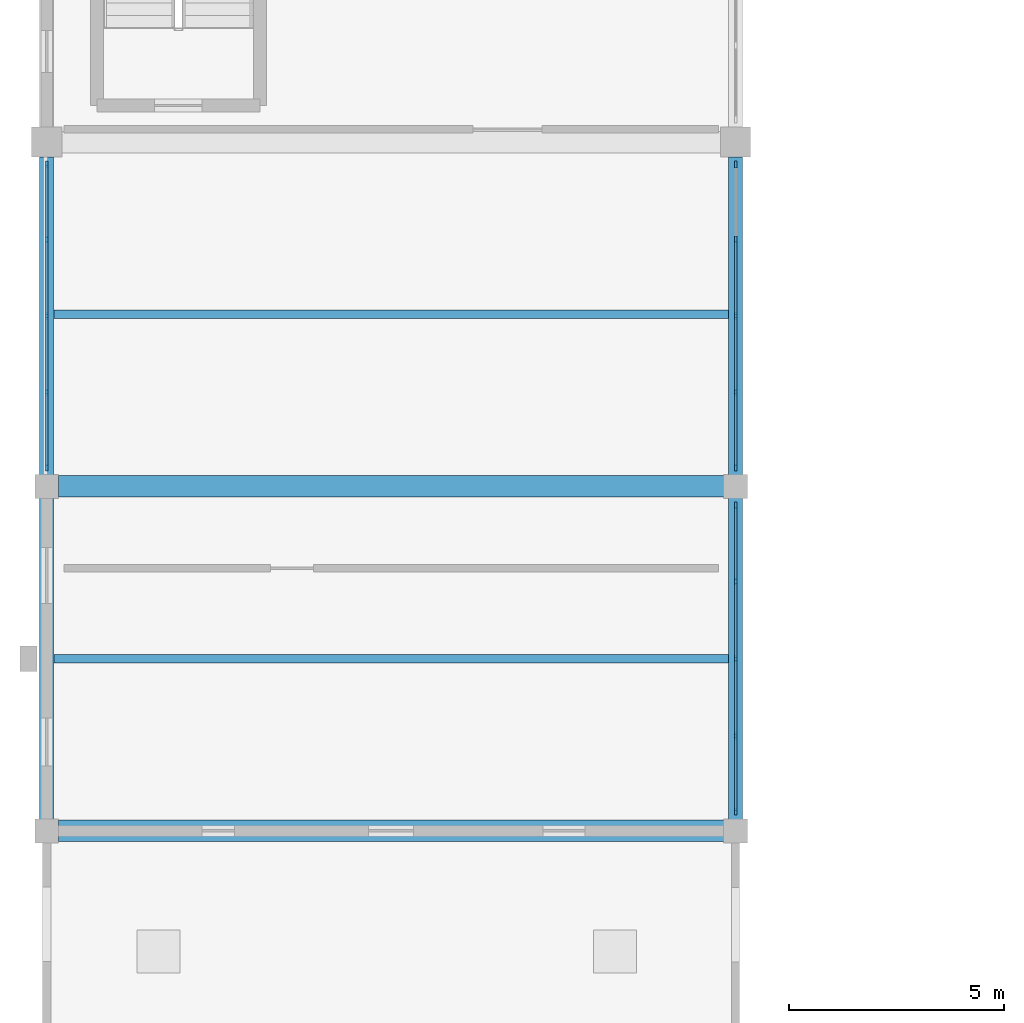
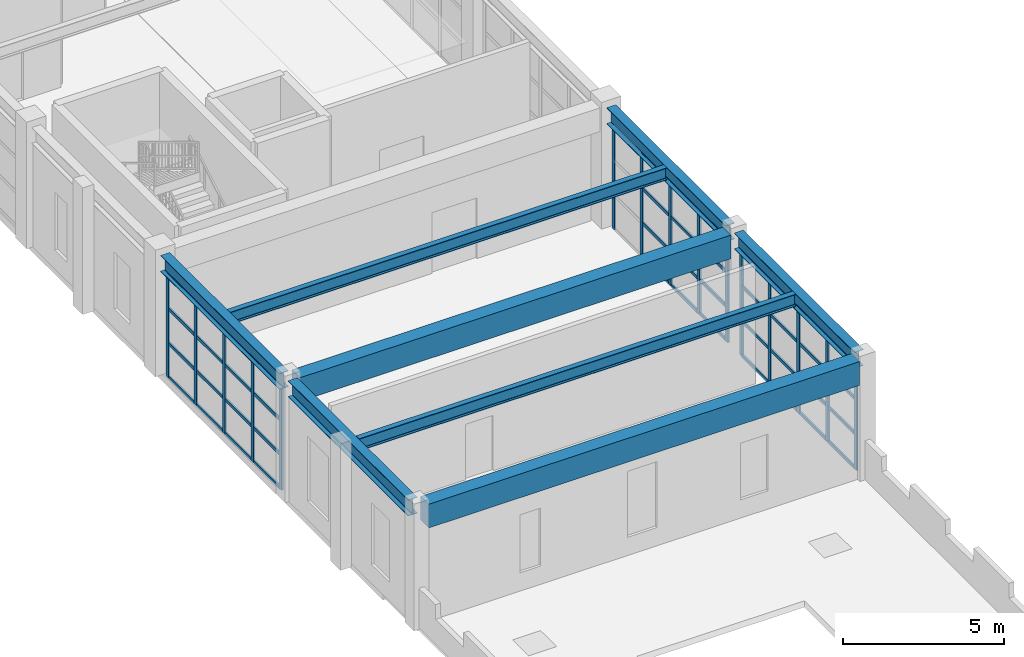
# One storey, part 3 of 59: 59 members, 8 beams, 3 elements without a shape of their own.
"""IFC4 building model written with IfcOpenShell, lengths in metres."""

from ifc_helpers import new_model, si_unit, direction, frame, origin, origin_2d, place, context, subcontext, project, spatial, rectangle, i_section, extrude, material, material_profile, profile_set, type_object, element, aggregate, save


model = new_model("IFC4")

# Units and contexts
model_context = context("Model", 3, precision=1e-05, world=origin(), true_north=direction((0.0, 1.0)))
body_context = subcontext(model_context, "Body", "Model", "MODEL_VIEW")
ifc_project = project(units=[si_unit("LENGTHUNIT", "METRE"), si_unit("AREAUNIT", "SQUARE_METRE"), si_unit("VOLUMEUNIT", "CUBIC_METRE"), si_unit("PLANEANGLEUNIT", "RADIAN"), si_unit("MASSUNIT", "GRAM", prefix="KILO")], contexts=[model_context])

# Site, building, storey
site_placement = place(None, origin())
site = spatial("IfcSite", under=ifc_project, at=site_placement, CompositionType="ELEMENT")
building_placement = place(site_placement, origin())
building = spatial("IfcBuilding", under=site, at=building_placement, Name="Serraluz Foothill Cableway Terminal", CompositionType="ELEMENT")
storey_placement = place(building_placement, frame((0.0, 0.0, 4.800048828125)))
storey = spatial("IfcBuildingStorey", under=building, at=storey_placement, Name="L01", CompositionType="ELEMENT", Elevation=4.800048828125)

# Beams
ifc_material_1 = material(Name="Concrete C35/45 (f'c 35 MPa)", Category="concrete")
ifc_material_profile_1 = material_profile(ifc_material_1, rectangle(XDim=0.5, YDim=0.89990234375, at=origin_2d()), Name="RC 500x900")
ifc_profile_set_1 = profile_set([ifc_material_profile_1], Name="Concrete C35/45 (f'c 35 MPa)")
beam_type_1 = type_object("IfcBeamType", Name="TYP-BM-RC500X900", PredefinedType="BEAM", material=ifc_profile_set_1)
for number, where, z_axis, x_axis, name in (
    (1, (0.27099609375, 16.0, 4.14501953125), (1.0, 0.0, 0.0), (0.0, 1.0, 0.0), "Primary Girder BM-X-L01-0185"),
    (2, (0.27099609375, 24.0, 4.08984375), (1.0, 0.0, 0.0), (0.0, 1.0, 0.0), "Primary Girder BM-X-L01-0191"),
):
    element("IfcBeam", number, at=place(storey_placement, frame(where, z_axis=z_axis, x_axis=x_axis)), inside=storey, type_object=beam_type_1, Name=name, PredefinedType="BEAM", context=body_context, shape_type="SweptSolid", body=[
        extrude(rectangle(XDim=0.5, YDim=0.89990234375, at=origin_2d()), origin(), (0.0, 0.0, 1.0), 15.4580078125),
    ])
ifc_material_2 = material(Name="Steel ASTM A992 Grade 50", Category="steel")
ifc_material_profile_2 = material_profile(ifc_material_2, i_section(OverallWidth=0.324951171875, OverallDepth=0.615966796875, WebThickness=0.013916015625, FlangeThickness=0.021484375, FilletRadius=0.01806640625, at=origin_2d()), Name="W24X117")
ifc_profile_set_2 = profile_set([ifc_material_profile_2], Name="Steel ASTM A992 Grade 50")
beam_type_2 = type_object("IfcBeamType", Name="TYP-BM-W24X117", PredefinedType="BEAM", material=ifc_profile_set_2)
beam_1_placement = place(storey_placement, frame((0.0, 16.27099609375, 4.286865234375), z_axis=(0.0, 1.0, 0.0), x_axis=(-1.0, 0.0, 0.0)))
element("IfcBeam", 3, at=beam_1_placement, inside=storey, type_object=beam_type_2, Name="Transverse Girder BM-Y-L01-0241", PredefinedType="BEAM", context=body_context, shape_type="SweptSolid", body=[
    extrude(i_section(OverallWidth=0.324951171875, OverallDepth=0.615966796875, WebThickness=0.013916015625, FlangeThickness=0.021484375, FilletRadius=0.01806640625, at=origin_2d()), origin(), (0.0, 0.0, 1.0), 7.4580078125),
])
beam_2_placement = place(storey_placement, frame((0.0, 24.27099609375, 4.23193359375), z_axis=(0.0, 1.0, 0.0), x_axis=(-1.0, 0.0, 0.0)))
element("IfcBeam", 4, at=beam_2_placement, inside=storey, type_object=beam_type_2, Name="Transverse Girder BM-Y-L01-0242", PredefinedType="BEAM", context=body_context, shape_type="SweptSolid", body=[
    extrude(i_section(OverallWidth=0.324951171875, OverallDepth=0.615966796875, WebThickness=0.013916015625, FlangeThickness=0.021484375, FilletRadius=0.01806640625, at=origin_2d()), origin(), (0.0, 0.0, 1.0), 7.383056640625),
])
beam_3_placement = place(storey_placement, frame((16.0, 16.27099609375, 4.286865234375), z_axis=(0.0, 1.0, 0.0), x_axis=(-1.0, 0.0, 0.0)))
element("IfcBeam", 5, at=beam_3_placement, inside=storey, type_object=beam_type_2, Name="Transverse Girder BM-Y-L01-0247", PredefinedType="BEAM", context=body_context, shape_type="SweptSolid", body=[
    extrude(i_section(OverallWidth=0.324951171875, OverallDepth=0.615966796875, WebThickness=0.013916015625, FlangeThickness=0.021484375, FilletRadius=0.01806640625, at=origin_2d()), origin(), (0.0, 0.0, 1.0), 7.4580078125),
])
beam_4_placement = place(storey_placement, frame((16.0, 24.27099609375, 4.23193359375), z_axis=(0.0, 1.0, 0.0), x_axis=(-1.0, 0.0, 0.0)))
element("IfcBeam", 6, at=beam_4_placement, inside=storey, type_object=beam_type_2, Name="Transverse Girder BM-Y-L01-0248", PredefinedType="BEAM", context=body_context, shape_type="SweptSolid", body=[
    extrude(i_section(OverallWidth=0.324951171875, OverallDepth=0.615966796875, WebThickness=0.013916015625, FlangeThickness=0.021484375, FilletRadius=0.01806640625, at=origin_2d()), origin(), (0.0, 0.0, 1.0), 7.383056640625),
])

# Curtain wall, members
ifc_material_3 = material(Name="Architectural bronze alloy C28000", Category="aluminium")
curtain_wall_type_1 = type_object("IfcCurtainWallType", Name="TYP-CW-620X420", PredefinedType="NOTDEFINED", material=ifc_material_3)
curtain_wall_1_placement = place(storey_placement, origin())
curtain_wall_1 = element("IfcCurtainWall", 7, at=curtain_wall_1_placement, inside=storey, type_object=curtain_wall_type_1, Name="Ribbed Glazed Curtain Wall CW-V5E-L01-16", PredefinedType="NOTDEFINED")
ifc_material_profile_3 = material_profile(ifc_material_3, rectangle(XDim=0.06005859375, YDim=0.159912109375, at=origin_2d()), Name="ALU MULLION 60x160")
ifc_profile_set_3 = profile_set([ifc_material_profile_3], Name="Architectural bronze alloy C28000")
member_type_1 = type_object("IfcMemberType", Name="TYP-CW-MUL-60X160", PredefinedType="MULLION", material=ifc_profile_set_3)
member_1_placement = place(storey_placement, frame((16.0, 23.554931640625, 0.0), z_axis=(0.0, 0.0, 1.0), x_axis=(1.0, 0.0, 0.0)))
member_1 = element("IfcMember", 8, at=member_1_placement, type_object=member_type_1, Name="CW-11 mullion 1", PredefinedType="MULLION", context=body_context, shape_type="SweptSolid", body=[
    extrude(rectangle(XDim=0.06005859375, YDim=0.159912109375, at=origin_2d()), origin(), (0.0, 0.0, 1.0), 3.97900390625),
])
member_2_placement = place(storey_placement, frame((16.0, 21.79248046875, 0.0), z_axis=(0.0, 0.0, 1.0), x_axis=(1.0, 0.0, 0.0)))
member_2 = element("IfcMember", 9, at=member_2_placement, type_object=member_type_1, Name="CW-11 mullion 2", PredefinedType="MULLION", context=body_context, shape_type="SweptSolid", body=[
    extrude(rectangle(XDim=0.06005859375, YDim=0.159912109375, at=origin_2d()), origin(), (0.0, 0.0, 1.0), 3.97900390625),
])
member_3_placement = place(storey_placement, frame((16.0, 20.0, 0.0), z_axis=(0.0, 0.0, 1.0), x_axis=(1.0, 0.0, 0.0)))
member_3 = element("IfcMember", 10, at=member_3_placement, type_object=member_type_1, Name="CW-11 mullion 3", PredefinedType="MULLION", context=body_context, shape_type="SweptSolid", body=[
    extrude(rectangle(XDim=0.06005859375, YDim=0.159912109375, at=origin_2d()), origin(), (0.0, 0.0, 1.0), 3.97900390625),
])
member_4_placement = place(storey_placement, frame((16.0, 18.20751953125, 0.0), z_axis=(0.0, 0.0, 1.0), x_axis=(1.0, 0.0, 0.0)))
member_4 = element("IfcMember", 11, at=member_4_placement, type_object=member_type_1, Name="CW-11 mullion 4", PredefinedType="MULLION", context=body_context, shape_type="SweptSolid", body=[
    extrude(rectangle(XDim=0.06005859375, YDim=0.159912109375, at=origin_2d()), origin(), (0.0, 0.0, 1.0), 3.97900390625),
])
member_5_placement = place(storey_placement, frame((16.0, 16.445068359375, 0.0), z_axis=(0.0, 0.0, 1.0), x_axis=(1.0, 0.0, 0.0)))
member_5 = element("IfcMember", 12, at=member_5_placement, type_object=member_type_1, Name="CW-11 mullion 5", PredefinedType="MULLION", context=body_context, shape_type="SweptSolid", body=[
    extrude(rectangle(XDim=0.06005859375, YDim=0.159912109375, at=origin_2d()), origin(), (0.0, 0.0, 1.0), 3.97900390625),
])

curtain_wall_type_2 = type_object("IfcCurtainWallType", Name="TYP-CW-740X440", PredefinedType="NOTDEFINED", material=ifc_material_3)
curtain_wall_2_placement = place(storey_placement, origin())
curtain_wall_2 = element("IfcCurtainWall", 13, at=curtain_wall_2_placement, inside=storey, type_object=curtain_wall_type_2, Name="Ribbed Glazed Curtain Wall CW-V5W-L01-24", PredefinedType="NOTDEFINED")
member_6_placement = place(storey_placement, frame((0.0, 24.445068359375, 0.0), z_axis=(0.0, 0.0, 1.0), x_axis=(-1.0, 0.0, 0.0)))
member_6 = element("IfcMember", 14, at=member_6_placement, type_object=member_type_1, Name="CW-06 mullion 1", PredefinedType="MULLION", context=body_context, shape_type="SweptSolid", body=[
    extrude(rectangle(XDim=0.06005859375, YDim=0.159912109375, at=origin_2d()), origin(), (0.0, 0.0, 1.0), 3.924072265625),
])
member_7_placement = place(storey_placement, frame((0.0, 26.188720703125, 0.0), z_axis=(0.0, 0.0, 1.0), x_axis=(-1.0, 0.0, 0.0)))
member_7 = element("IfcMember", 15, at=member_7_placement, type_object=member_type_1, Name="CW-06 mullion 2", PredefinedType="MULLION", context=body_context, shape_type="SweptSolid", body=[
    extrude(rectangle(XDim=0.06005859375, YDim=0.159912109375, at=origin_2d()), origin(), (0.0, 0.0, 1.0), 3.924072265625),
])
member_8_placement = place(storey_placement, frame((0.0, 27.96240234375, 0.0), z_axis=(0.0, 0.0, 1.0), x_axis=(-1.0, 0.0, 0.0)))
member_8 = element("IfcMember", 16, at=member_8_placement, type_object=member_type_1, Name="CW-06 mullion 3", PredefinedType="MULLION", context=body_context, shape_type="SweptSolid", body=[
    extrude(rectangle(XDim=0.06005859375, YDim=0.159912109375, at=origin_2d()), origin(), (0.0, 0.0, 1.0), 3.924072265625),
])
member_9_placement = place(storey_placement, frame((0.0, 29.736328125, 0.0), z_axis=(0.0, 0.0, 1.0), x_axis=(-1.0, 0.0, 0.0)))
member_9 = element("IfcMember", 17, at=member_9_placement, type_object=member_type_1, Name="CW-06 mullion 4", PredefinedType="MULLION", context=body_context, shape_type="SweptSolid", body=[
    extrude(rectangle(XDim=0.06005859375, YDim=0.159912109375, at=origin_2d()), origin(), (0.0, 0.0, 1.0), 3.924072265625),
])
member_10_placement = place(storey_placement, frame((0.0, 31.47998046875, 0.0), z_axis=(0.0, 0.0, 1.0), x_axis=(-1.0, 0.0, 0.0)))
member_10 = element("IfcMember", 18, at=member_10_placement, type_object=member_type_1, Name="CW-06 mullion 5", PredefinedType="MULLION", context=body_context, shape_type="SweptSolid", body=[
    extrude(rectangle(XDim=0.06005859375, YDim=0.159912109375, at=origin_2d()), origin(), (0.0, 0.0, 1.0), 3.924072265625),
])

curtain_wall_type_3 = type_object("IfcCurtainWallType", Name="TYP-CW-640X440", PredefinedType="NOTDEFINED", material=ifc_material_3)
curtain_wall_3_placement = place(storey_placement, origin())
curtain_wall_3 = element("IfcCurtainWall", 19, at=curtain_wall_3_placement, inside=storey, type_object=curtain_wall_type_3, Name="Ribbed Glazed Curtain Wall CW-V5E-L01-24", PredefinedType="NOTDEFINED")
member_11_placement = place(storey_placement, frame((16.0, 31.47998046875, 0.0), z_axis=(0.0, 0.0, 1.0), x_axis=(1.0, 0.0, 0.0)))
member_11 = element("IfcMember", 20, at=member_11_placement, type_object=member_type_1, Name="CW-12 mullion 1", PredefinedType="MULLION", context=body_context, shape_type="SweptSolid", body=[
    extrude(rectangle(XDim=0.06005859375, YDim=0.159912109375, at=origin_2d()), origin(), (0.0, 0.0, 1.0), 3.924072265625),
])
member_12_placement = place(storey_placement, frame((16.0, 29.736328125, 0.0), z_axis=(0.0, 0.0, 1.0), x_axis=(1.0, 0.0, 0.0)))
member_12 = element("IfcMember", 21, at=member_12_placement, type_object=member_type_1, Name="CW-12 mullion 2", PredefinedType="MULLION", context=body_context, shape_type="SweptSolid", body=[
    extrude(rectangle(XDim=0.06005859375, YDim=0.159912109375, at=origin_2d()), origin(), (0.0, 0.0, 1.0), 3.924072265625),
])
member_13_placement = place(storey_placement, frame((16.0, 27.96240234375, 0.0), z_axis=(0.0, 0.0, 1.0), x_axis=(1.0, 0.0, 0.0)))
member_13 = element("IfcMember", 22, at=member_13_placement, type_object=member_type_1, Name="CW-12 mullion 3", PredefinedType="MULLION", context=body_context, shape_type="SweptSolid", body=[
    extrude(rectangle(XDim=0.06005859375, YDim=0.159912109375, at=origin_2d()), origin(), (0.0, 0.0, 1.0), 3.924072265625),
])
member_14_placement = place(storey_placement, frame((16.0, 26.188720703125, 0.0), z_axis=(0.0, 0.0, 1.0), x_axis=(1.0, 0.0, 0.0)))
member_14 = element("IfcMember", 23, at=member_14_placement, type_object=member_type_1, Name="CW-12 mullion 4", PredefinedType="MULLION", context=body_context, shape_type="SweptSolid", body=[
    extrude(rectangle(XDim=0.06005859375, YDim=0.159912109375, at=origin_2d()), origin(), (0.0, 0.0, 1.0), 3.924072265625),
])
member_15_placement = place(storey_placement, frame((16.0, 24.445068359375, 0.0), z_axis=(0.0, 0.0, 1.0), x_axis=(1.0, 0.0, 0.0)))
member_15 = element("IfcMember", 24, at=member_15_placement, type_object=member_type_1, Name="CW-12 mullion 5", PredefinedType="MULLION", context=body_context, shape_type="SweptSolid", body=[
    extrude(rectangle(XDim=0.06005859375, YDim=0.159912109375, at=origin_2d()), origin(), (0.0, 0.0, 1.0), 3.924072265625),
])

# Member
ifc_material_profile_4 = material_profile(ifc_material_3, rectangle(XDim=0.06005859375, YDim=0.1201171875, at=origin_2d()), Name="ALU TRANSOM 60x120")
ifc_profile_set_4 = profile_set([ifc_material_profile_4], Name="Architectural bronze alloy C28000")
member_type_2 = type_object("IfcMemberType", Name="TYP-CW-TRN-60X120", PredefinedType="USERDEFINED", material=ifc_profile_set_4)
member_16_placement = place(storey_placement, frame((16.0, 23.52490234375, 0.030029296875), z_axis=(0.0, -1.0, 0.0), x_axis=(1.0, 0.0, 0.0)))
member_16 = element("IfcMember", 25, at=member_16_placement, type_object=member_type_2, Name="CW-11 transom 1.1", ObjectType="TRANSOM", PredefinedType="USERDEFINED", context=body_context, shape_type="SweptSolid", body=[
    extrude(rectangle(XDim=0.06005859375, YDim=0.1201171875, at=origin_2d()), origin(), (0.0, 0.0, 1.0), 1.702392578125),
])

member_17_placement = place(storey_placement, frame((16.0, 23.52490234375, 1.326171875), z_axis=(0.0, -1.0, 0.0), x_axis=(1.0, 0.0, 0.0)))
member_17 = element("IfcMember", 26, at=member_17_placement, type_object=member_type_2, Name="CW-11 transom 1.2", ObjectType="TRANSOM", PredefinedType="USERDEFINED", context=body_context, shape_type="SweptSolid", body=[
    extrude(rectangle(XDim=0.06005859375, YDim=0.1201171875, at=origin_2d()), origin(), (0.0, 0.0, 1.0), 1.702392578125),
])

member_18_placement = place(storey_placement, frame((16.0, 23.52490234375, 2.652587890625), z_axis=(0.0, -1.0, 0.0), x_axis=(1.0, 0.0, 0.0)))
member_18 = element("IfcMember", 27, at=member_18_placement, type_object=member_type_2, Name="CW-11 transom 1.3", ObjectType="TRANSOM", PredefinedType="USERDEFINED", context=body_context, shape_type="SweptSolid", body=[
    extrude(rectangle(XDim=0.06005859375, YDim=0.1201171875, at=origin_2d()), origin(), (0.0, 0.0, 1.0), 1.702392578125),
])

member_19_placement = place(storey_placement, frame((16.0, 23.52490234375, 3.948974609375), z_axis=(0.0, -1.0, 0.0), x_axis=(1.0, 0.0, 0.0)))
member_19 = element("IfcMember", 28, at=member_19_placement, type_object=member_type_2, Name="CW-11 transom 1.4", ObjectType="TRANSOM", PredefinedType="USERDEFINED", context=body_context, shape_type="SweptSolid", body=[
    extrude(rectangle(XDim=0.06005859375, YDim=0.1201171875, at=origin_2d()), origin(), (0.0, 0.0, 1.0), 1.702392578125),
])

member_20_placement = place(storey_placement, frame((16.0, 21.762451171875, 0.030029296875), z_axis=(0.0, -1.0, 0.0), x_axis=(1.0, 0.0, 0.0)))
member_20 = element("IfcMember", 29, at=member_20_placement, type_object=member_type_2, Name="CW-11 transom 2.1", ObjectType="TRANSOM", PredefinedType="USERDEFINED", context=body_context, shape_type="SweptSolid", body=[
    extrude(rectangle(XDim=0.06005859375, YDim=0.1201171875, at=origin_2d()), origin(), (0.0, 0.0, 1.0), 1.732421875),
])

member_21_placement = place(storey_placement, frame((16.0, 21.762451171875, 1.326171875), z_axis=(0.0, -1.0, 0.0), x_axis=(1.0, 0.0, 0.0)))
member_21 = element("IfcMember", 30, at=member_21_placement, type_object=member_type_2, Name="CW-11 transom 2.2", ObjectType="TRANSOM", PredefinedType="USERDEFINED", context=body_context, shape_type="SweptSolid", body=[
    extrude(rectangle(XDim=0.06005859375, YDim=0.1201171875, at=origin_2d()), origin(), (0.0, 0.0, 1.0), 1.732421875),
])

member_22_placement = place(storey_placement, frame((16.0, 21.762451171875, 2.652587890625), z_axis=(0.0, -1.0, 0.0), x_axis=(1.0, 0.0, 0.0)))
member_22 = element("IfcMember", 31, at=member_22_placement, type_object=member_type_2, Name="CW-11 transom 2.3", ObjectType="TRANSOM", PredefinedType="USERDEFINED", context=body_context, shape_type="SweptSolid", body=[
    extrude(rectangle(XDim=0.06005859375, YDim=0.1201171875, at=origin_2d()), origin(), (0.0, 0.0, 1.0), 1.732421875),
])

member_23_placement = place(storey_placement, frame((16.0, 21.762451171875, 3.948974609375), z_axis=(0.0, -1.0, 0.0), x_axis=(1.0, 0.0, 0.0)))
member_23 = element("IfcMember", 32, at=member_23_placement, type_object=member_type_2, Name="CW-11 transom 2.4", ObjectType="TRANSOM", PredefinedType="USERDEFINED", context=body_context, shape_type="SweptSolid", body=[
    extrude(rectangle(XDim=0.06005859375, YDim=0.1201171875, at=origin_2d()), origin(), (0.0, 0.0, 1.0), 1.732421875),
])

member_24_placement = place(storey_placement, frame((16.0, 19.969970703125, 0.030029296875), z_axis=(0.0, -1.0, 0.0), x_axis=(1.0, 0.0, 0.0)))
member_24 = element("IfcMember", 33, at=member_24_placement, type_object=member_type_2, Name="CW-11 transom 3.1", ObjectType="TRANSOM", PredefinedType="USERDEFINED", context=body_context, shape_type="SweptSolid", body=[
    extrude(rectangle(XDim=0.06005859375, YDim=0.1201171875, at=origin_2d()), origin(), (0.0, 0.0, 1.0), 1.732421875),
])

member_25_placement = place(storey_placement, frame((16.0, 19.969970703125, 1.326171875), z_axis=(0.0, -1.0, 0.0), x_axis=(1.0, 0.0, 0.0)))
member_25 = element("IfcMember", 34, at=member_25_placement, type_object=member_type_2, Name="CW-11 transom 3.2", ObjectType="TRANSOM", PredefinedType="USERDEFINED", context=body_context, shape_type="SweptSolid", body=[
    extrude(rectangle(XDim=0.06005859375, YDim=0.1201171875, at=origin_2d()), origin(), (0.0, 0.0, 1.0), 1.732421875),
])

member_26_placement = place(storey_placement, frame((16.0, 19.969970703125, 2.652587890625), z_axis=(0.0, -1.0, 0.0), x_axis=(1.0, 0.0, 0.0)))
member_26 = element("IfcMember", 35, at=member_26_placement, type_object=member_type_2, Name="CW-11 transom 3.3", ObjectType="TRANSOM", PredefinedType="USERDEFINED", context=body_context, shape_type="SweptSolid", body=[
    extrude(rectangle(XDim=0.06005859375, YDim=0.1201171875, at=origin_2d()), origin(), (0.0, 0.0, 1.0), 1.732421875),
])

member_27_placement = place(storey_placement, frame((16.0, 19.969970703125, 3.948974609375), z_axis=(0.0, -1.0, 0.0), x_axis=(1.0, 0.0, 0.0)))
member_27 = element("IfcMember", 36, at=member_27_placement, type_object=member_type_2, Name="CW-11 transom 3.4", ObjectType="TRANSOM", PredefinedType="USERDEFINED", context=body_context, shape_type="SweptSolid", body=[
    extrude(rectangle(XDim=0.06005859375, YDim=0.1201171875, at=origin_2d()), origin(), (0.0, 0.0, 1.0), 1.732421875),
])

member_28_placement = place(storey_placement, frame((16.0, 18.177490234375, 0.030029296875), z_axis=(0.0, -1.0, 0.0), x_axis=(1.0, 0.0, 0.0)))
member_28 = element("IfcMember", 37, at=member_28_placement, type_object=member_type_2, Name="CW-11 transom 4.1", ObjectType="TRANSOM", PredefinedType="USERDEFINED", context=body_context, shape_type="SweptSolid", body=[
    extrude(rectangle(XDim=0.06005859375, YDim=0.1201171875, at=origin_2d()), origin(), (0.0, 0.0, 1.0), 1.702392578125),
])

member_29_placement = place(storey_placement, frame((16.0, 18.177490234375, 1.326171875), z_axis=(0.0, -1.0, 0.0), x_axis=(1.0, 0.0, 0.0)))
member_29 = element("IfcMember", 38, at=member_29_placement, type_object=member_type_2, Name="CW-11 transom 4.2", ObjectType="TRANSOM", PredefinedType="USERDEFINED", context=body_context, shape_type="SweptSolid", body=[
    extrude(rectangle(XDim=0.06005859375, YDim=0.1201171875, at=origin_2d()), origin(), (0.0, 0.0, 1.0), 1.702392578125),
])

member_30_placement = place(storey_placement, frame((16.0, 18.177490234375, 2.652587890625), z_axis=(0.0, -1.0, 0.0), x_axis=(1.0, 0.0, 0.0)))
member_30 = element("IfcMember", 39, at=member_30_placement, type_object=member_type_2, Name="CW-11 transom 4.3", ObjectType="TRANSOM", PredefinedType="USERDEFINED", context=body_context, shape_type="SweptSolid", body=[
    extrude(rectangle(XDim=0.06005859375, YDim=0.1201171875, at=origin_2d()), origin(), (0.0, 0.0, 1.0), 1.702392578125),
])

member_31_placement = place(storey_placement, frame((16.0, 18.177490234375, 3.948974609375), z_axis=(0.0, -1.0, 0.0), x_axis=(1.0, 0.0, 0.0)))
member_31 = element("IfcMember", 40, at=member_31_placement, type_object=member_type_2, Name="CW-11 transom 4.4", ObjectType="TRANSOM", PredefinedType="USERDEFINED", context=body_context, shape_type="SweptSolid", body=[
    extrude(rectangle(XDim=0.06005859375, YDim=0.1201171875, at=origin_2d()), origin(), (0.0, 0.0, 1.0), 1.702392578125),
])

aggregate(curtain_wall_1, [member_1, member_2, member_3, member_4, member_5, member_16, member_17, member_18, member_19, member_20, member_21, member_22, member_23, member_24, member_25, member_26, member_27, member_28, member_29, member_30, member_31])

member_32_placement = place(storey_placement, frame((0.0, 24.47509765625, 0.030029296875), z_axis=(0.0, 1.0, 0.0), x_axis=(-1.0, 0.0, 0.0)))
member_32 = element("IfcMember", 41, at=member_32_placement, type_object=member_type_2, Name="CW-06 transom 1.1", ObjectType="TRANSOM", PredefinedType="USERDEFINED", context=body_context, shape_type="SweptSolid", body=[
    extrude(rectangle(XDim=0.06005859375, YDim=0.1201171875, at=origin_2d()), origin(), (0.0, 0.0, 1.0), 1.68359375),
])

member_33_placement = place(storey_placement, frame((0.0, 24.47509765625, 1.307861328125), z_axis=(0.0, 1.0, 0.0), x_axis=(-1.0, 0.0, 0.0)))
member_33 = element("IfcMember", 42, at=member_33_placement, type_object=member_type_2, Name="CW-06 transom 1.2", ObjectType="TRANSOM", PredefinedType="USERDEFINED", context=body_context, shape_type="SweptSolid", body=[
    extrude(rectangle(XDim=0.06005859375, YDim=0.1201171875, at=origin_2d()), origin(), (0.0, 0.0, 1.0), 1.68359375),
])

member_34_placement = place(storey_placement, frame((0.0, 24.47509765625, 2.615966796875), z_axis=(0.0, 1.0, 0.0), x_axis=(-1.0, 0.0, 0.0)))
member_34 = element("IfcMember", 43, at=member_34_placement, type_object=member_type_2, Name="CW-06 transom 1.3", ObjectType="TRANSOM", PredefinedType="USERDEFINED", context=body_context, shape_type="SweptSolid", body=[
    extrude(rectangle(XDim=0.06005859375, YDim=0.1201171875, at=origin_2d()), origin(), (0.0, 0.0, 1.0), 1.68359375),
])

member_35_placement = place(storey_placement, frame((0.0, 24.47509765625, 3.89404296875), z_axis=(0.0, 1.0, 0.0), x_axis=(-1.0, 0.0, 0.0)))
member_35 = element("IfcMember", 44, at=member_35_placement, type_object=member_type_2, Name="CW-06 transom 1.4", ObjectType="TRANSOM", PredefinedType="USERDEFINED", context=body_context, shape_type="SweptSolid", body=[
    extrude(rectangle(XDim=0.06005859375, YDim=0.1201171875, at=origin_2d()), origin(), (0.0, 0.0, 1.0), 1.68359375),
])

member_36_placement = place(storey_placement, frame((0.0, 26.21875, 0.030029296875), z_axis=(0.0, 1.0, 0.0), x_axis=(-1.0, 0.0, 0.0)))
member_36 = element("IfcMember", 45, at=member_36_placement, type_object=member_type_2, Name="CW-06 transom 2.1", ObjectType="TRANSOM", PredefinedType="USERDEFINED", context=body_context, shape_type="SweptSolid", body=[
    extrude(rectangle(XDim=0.06005859375, YDim=0.1201171875, at=origin_2d()), origin(), (0.0, 0.0, 1.0), 1.7138671875),
])

member_37_placement = place(storey_placement, frame((0.0, 26.21875, 1.307861328125), z_axis=(0.0, 1.0, 0.0), x_axis=(-1.0, 0.0, 0.0)))
member_37 = element("IfcMember", 46, at=member_37_placement, type_object=member_type_2, Name="CW-06 transom 2.2", ObjectType="TRANSOM", PredefinedType="USERDEFINED", context=body_context, shape_type="SweptSolid", body=[
    extrude(rectangle(XDim=0.06005859375, YDim=0.1201171875, at=origin_2d()), origin(), (0.0, 0.0, 1.0), 1.7138671875),
])

member_38_placement = place(storey_placement, frame((0.0, 26.21875, 2.615966796875), z_axis=(0.0, 1.0, 0.0), x_axis=(-1.0, 0.0, 0.0)))
member_38 = element("IfcMember", 47, at=member_38_placement, type_object=member_type_2, Name="CW-06 transom 2.3", ObjectType="TRANSOM", PredefinedType="USERDEFINED", context=body_context, shape_type="SweptSolid", body=[
    extrude(rectangle(XDim=0.06005859375, YDim=0.1201171875, at=origin_2d()), origin(), (0.0, 0.0, 1.0), 1.7138671875),
])

member_39_placement = place(storey_placement, frame((0.0, 26.21875, 3.89404296875), z_axis=(0.0, 1.0, 0.0), x_axis=(-1.0, 0.0, 0.0)))
member_39 = element("IfcMember", 48, at=member_39_placement, type_object=member_type_2, Name="CW-06 transom 2.4", ObjectType="TRANSOM", PredefinedType="USERDEFINED", context=body_context, shape_type="SweptSolid", body=[
    extrude(rectangle(XDim=0.06005859375, YDim=0.1201171875, at=origin_2d()), origin(), (0.0, 0.0, 1.0), 1.7138671875),
])

member_40_placement = place(storey_placement, frame((0.0, 27.992431640625, 0.030029296875), z_axis=(0.0, 1.0, 0.0), x_axis=(-1.0, 0.0, 0.0)))
member_40 = element("IfcMember", 49, at=member_40_placement, type_object=member_type_2, Name="CW-06 transom 3.1", ObjectType="TRANSOM", PredefinedType="USERDEFINED", context=body_context, shape_type="SweptSolid", body=[
    extrude(rectangle(XDim=0.06005859375, YDim=0.1201171875, at=origin_2d()), origin(), (0.0, 0.0, 1.0), 1.7138671875),
])

member_41_placement = place(storey_placement, frame((0.0, 27.992431640625, 1.307861328125), z_axis=(0.0, 1.0, 0.0), x_axis=(-1.0, 0.0, 0.0)))
member_41 = element("IfcMember", 50, at=member_41_placement, type_object=member_type_2, Name="CW-06 transom 3.2", ObjectType="TRANSOM", PredefinedType="USERDEFINED", context=body_context, shape_type="SweptSolid", body=[
    extrude(rectangle(XDim=0.06005859375, YDim=0.1201171875, at=origin_2d()), origin(), (0.0, 0.0, 1.0), 1.7138671875),
])

member_42_placement = place(storey_placement, frame((0.0, 27.992431640625, 2.615966796875), z_axis=(0.0, 1.0, 0.0), x_axis=(-1.0, 0.0, 0.0)))
member_42 = element("IfcMember", 51, at=member_42_placement, type_object=member_type_2, Name="CW-06 transom 3.3", ObjectType="TRANSOM", PredefinedType="USERDEFINED", context=body_context, shape_type="SweptSolid", body=[
    extrude(rectangle(XDim=0.06005859375, YDim=0.1201171875, at=origin_2d()), origin(), (0.0, 0.0, 1.0), 1.7138671875),
])

member_43_placement = place(storey_placement, frame((0.0, 27.992431640625, 3.89404296875), z_axis=(0.0, 1.0, 0.0), x_axis=(-1.0, 0.0, 0.0)))
member_43 = element("IfcMember", 52, at=member_43_placement, type_object=member_type_2, Name="CW-06 transom 3.4", ObjectType="TRANSOM", PredefinedType="USERDEFINED", context=body_context, shape_type="SweptSolid", body=[
    extrude(rectangle(XDim=0.06005859375, YDim=0.1201171875, at=origin_2d()), origin(), (0.0, 0.0, 1.0), 1.7138671875),
])

member_44_placement = place(storey_placement, frame((0.0, 29.766357421875, 0.030029296875), z_axis=(0.0, 1.0, 0.0), x_axis=(-1.0, 0.0, 0.0)))
member_44 = element("IfcMember", 53, at=member_44_placement, type_object=member_type_2, Name="CW-06 transom 4.1", ObjectType="TRANSOM", PredefinedType="USERDEFINED", context=body_context, shape_type="SweptSolid", body=[
    extrude(rectangle(XDim=0.06005859375, YDim=0.1201171875, at=origin_2d()), origin(), (0.0, 0.0, 1.0), 1.68359375),
])

member_45_placement = place(storey_placement, frame((0.0, 29.766357421875, 1.307861328125), z_axis=(0.0, 1.0, 0.0), x_axis=(-1.0, 0.0, 0.0)))
member_45 = element("IfcMember", 54, at=member_45_placement, type_object=member_type_2, Name="CW-06 transom 4.2", ObjectType="TRANSOM", PredefinedType="USERDEFINED", context=body_context, shape_type="SweptSolid", body=[
    extrude(rectangle(XDim=0.06005859375, YDim=0.1201171875, at=origin_2d()), origin(), (0.0, 0.0, 1.0), 1.68359375),
])

member_46_placement = place(storey_placement, frame((0.0, 29.766357421875, 2.615966796875), z_axis=(0.0, 1.0, 0.0), x_axis=(-1.0, 0.0, 0.0)))
member_46 = element("IfcMember", 55, at=member_46_placement, type_object=member_type_2, Name="CW-06 transom 4.3", ObjectType="TRANSOM", PredefinedType="USERDEFINED", context=body_context, shape_type="SweptSolid", body=[
    extrude(rectangle(XDim=0.06005859375, YDim=0.1201171875, at=origin_2d()), origin(), (0.0, 0.0, 1.0), 1.68359375),
])

member_47_placement = place(storey_placement, frame((0.0, 29.766357421875, 3.89404296875), z_axis=(0.0, 1.0, 0.0), x_axis=(-1.0, 0.0, 0.0)))
member_47 = element("IfcMember", 56, at=member_47_placement, type_object=member_type_2, Name="CW-06 transom 4.4", ObjectType="TRANSOM", PredefinedType="USERDEFINED", context=body_context, shape_type="SweptSolid", body=[
    extrude(rectangle(XDim=0.06005859375, YDim=0.1201171875, at=origin_2d()), origin(), (0.0, 0.0, 1.0), 1.68359375),
])

aggregate(curtain_wall_2, [member_6, member_7, member_8, member_9, member_10, member_32, member_33, member_34, member_35, member_36, member_37, member_38, member_39, member_40, member_41, member_42, member_43, member_44, member_45, member_46, member_47])

member_48_placement = place(storey_placement, frame((16.0, 29.706298828125, 0.030029296875), z_axis=(0.0, -1.0, 0.0), x_axis=(1.0, 0.0, 0.0)))
member_48 = element("IfcMember", 57, at=member_48_placement, type_object=member_type_2, Name="CW-12 transom 2.1", ObjectType="TRANSOM", PredefinedType="USERDEFINED", context=body_context, shape_type="SweptSolid", body=[
    extrude(rectangle(XDim=0.06005859375, YDim=0.1201171875, at=origin_2d()), origin(), (0.0, 0.0, 1.0), 1.7138671875),
])

member_49_placement = place(storey_placement, frame((16.0, 29.706298828125, 1.307861328125), z_axis=(0.0, -1.0, 0.0), x_axis=(1.0, 0.0, 0.0)))
member_49 = element("IfcMember", 58, at=member_49_placement, type_object=member_type_2, Name="CW-12 transom 2.2", ObjectType="TRANSOM", PredefinedType="USERDEFINED", context=body_context, shape_type="SweptSolid", body=[
    extrude(rectangle(XDim=0.06005859375, YDim=0.1201171875, at=origin_2d()), origin(), (0.0, 0.0, 1.0), 1.7138671875),
])

member_50_placement = place(storey_placement, frame((16.0, 29.706298828125, 2.615966796875), z_axis=(0.0, -1.0, 0.0), x_axis=(1.0, 0.0, 0.0)))
member_50 = element("IfcMember", 59, at=member_50_placement, type_object=member_type_2, Name="CW-12 transom 2.3", ObjectType="TRANSOM", PredefinedType="USERDEFINED", context=body_context, shape_type="SweptSolid", body=[
    extrude(rectangle(XDim=0.06005859375, YDim=0.1201171875, at=origin_2d()), origin(), (0.0, 0.0, 1.0), 1.7138671875),
])

member_51_placement = place(storey_placement, frame((16.0, 29.706298828125, 3.89404296875), z_axis=(0.0, -1.0, 0.0), x_axis=(1.0, 0.0, 0.0)))
member_51 = element("IfcMember", 60, at=member_51_placement, type_object=member_type_2, Name="CW-12 transom 2.4", ObjectType="TRANSOM", PredefinedType="USERDEFINED", context=body_context, shape_type="SweptSolid", body=[
    extrude(rectangle(XDim=0.06005859375, YDim=0.1201171875, at=origin_2d()), origin(), (0.0, 0.0, 1.0), 1.7138671875),
])

member_52_placement = place(storey_placement, frame((16.0, 27.9326171875, 0.030029296875), z_axis=(0.0, -1.0, 0.0), x_axis=(1.0, 0.0, 0.0)))
member_52 = element("IfcMember", 61, at=member_52_placement, type_object=member_type_2, Name="CW-12 transom 3.1", ObjectType="TRANSOM", PredefinedType="USERDEFINED", context=body_context, shape_type="SweptSolid", body=[
    extrude(rectangle(XDim=0.06005859375, YDim=0.1201171875, at=origin_2d()), origin(), (0.0, 0.0, 1.0), 1.7138671875),
])

member_53_placement = place(storey_placement, frame((16.0, 27.9326171875, 1.307861328125), z_axis=(0.0, -1.0, 0.0), x_axis=(1.0, 0.0, 0.0)))
member_53 = element("IfcMember", 62, at=member_53_placement, type_object=member_type_2, Name="CW-12 transom 3.2", ObjectType="TRANSOM", PredefinedType="USERDEFINED", context=body_context, shape_type="SweptSolid", body=[
    extrude(rectangle(XDim=0.06005859375, YDim=0.1201171875, at=origin_2d()), origin(), (0.0, 0.0, 1.0), 1.7138671875),
])

member_54_placement = place(storey_placement, frame((16.0, 27.9326171875, 2.615966796875), z_axis=(0.0, -1.0, 0.0), x_axis=(1.0, 0.0, 0.0)))
member_54 = element("IfcMember", 63, at=member_54_placement, type_object=member_type_2, Name="CW-12 transom 3.3", ObjectType="TRANSOM", PredefinedType="USERDEFINED", context=body_context, shape_type="SweptSolid", body=[
    extrude(rectangle(XDim=0.06005859375, YDim=0.1201171875, at=origin_2d()), origin(), (0.0, 0.0, 1.0), 1.7138671875),
])

member_55_placement = place(storey_placement, frame((16.0, 27.9326171875, 3.89404296875), z_axis=(0.0, -1.0, 0.0), x_axis=(1.0, 0.0, 0.0)))
member_55 = element("IfcMember", 64, at=member_55_placement, type_object=member_type_2, Name="CW-12 transom 3.4", ObjectType="TRANSOM", PredefinedType="USERDEFINED", context=body_context, shape_type="SweptSolid", body=[
    extrude(rectangle(XDim=0.06005859375, YDim=0.1201171875, at=origin_2d()), origin(), (0.0, 0.0, 1.0), 1.7138671875),
])

member_56_placement = place(storey_placement, frame((16.0, 26.15869140625, 0.030029296875), z_axis=(0.0, -1.0, 0.0), x_axis=(1.0, 0.0, 0.0)))
member_56 = element("IfcMember", 65, at=member_56_placement, type_object=member_type_2, Name="CW-12 transom 4.1", ObjectType="TRANSOM", PredefinedType="USERDEFINED", context=body_context, shape_type="SweptSolid", body=[
    extrude(rectangle(XDim=0.06005859375, YDim=0.1201171875, at=origin_2d()), origin(), (0.0, 0.0, 1.0), 1.68359375),
])

member_57_placement = place(storey_placement, frame((16.0, 26.15869140625, 1.307861328125), z_axis=(0.0, -1.0, 0.0), x_axis=(1.0, 0.0, 0.0)))
member_57 = element("IfcMember", 66, at=member_57_placement, type_object=member_type_2, Name="CW-12 transom 4.2", ObjectType="TRANSOM", PredefinedType="USERDEFINED", context=body_context, shape_type="SweptSolid", body=[
    extrude(rectangle(XDim=0.06005859375, YDim=0.1201171875, at=origin_2d()), origin(), (0.0, 0.0, 1.0), 1.68359375),
])

member_58_placement = place(storey_placement, frame((16.0, 26.15869140625, 2.615966796875), z_axis=(0.0, -1.0, 0.0), x_axis=(1.0, 0.0, 0.0)))
member_58 = element("IfcMember", 67, at=member_58_placement, type_object=member_type_2, Name="CW-12 transom 4.3", ObjectType="TRANSOM", PredefinedType="USERDEFINED", context=body_context, shape_type="SweptSolid", body=[
    extrude(rectangle(XDim=0.06005859375, YDim=0.1201171875, at=origin_2d()), origin(), (0.0, 0.0, 1.0), 1.68359375),
])

member_59_placement = place(storey_placement, frame((16.0, 26.15869140625, 3.89404296875), z_axis=(0.0, -1.0, 0.0), x_axis=(1.0, 0.0, 0.0)))
member_59 = element("IfcMember", 68, at=member_59_placement, type_object=member_type_2, Name="CW-12 transom 4.4", ObjectType="TRANSOM", PredefinedType="USERDEFINED", context=body_context, shape_type="SweptSolid", body=[
    extrude(rectangle(XDim=0.06005859375, YDim=0.1201171875, at=origin_2d()), origin(), (0.0, 0.0, 1.0), 1.68359375),
])

aggregate(curtain_wall_3, [member_11, member_12, member_13, member_14, member_15, member_48, member_49, member_50, member_51, member_52, member_53, member_54, member_55, member_56, member_57, member_58, member_59])

# Beams
ifc_material_profile_5 = material_profile(ifc_material_2, i_section(OverallWidth=0.193115234375, OverallDepth=0.467041015625, WebThickness=0.011474609375, FlangeThickness=0.01904296875, FilletRadius=0.014892578125, at=origin_2d()), Name="W18X65")
ifc_profile_set_5 = profile_set([ifc_material_profile_5], Name="Steel ASTM A992 Grade 50")
beam_type_3 = type_object("IfcBeamType", Name="TYP-JS-W18X65", PredefinedType="JOIST", material=ifc_profile_set_5)
for number, where, z_axis, x_axis, name in (
    (69, (0.16748046875, 20.0, 4.361572265625), (1.0, 0.0, 0.0), (0.0, 1.0, 0.0), "Secondary Floor Joist JS-L01-0076"),
    (70, (0.16748046875, 28.0, 4.306396484375), (1.0, 0.0, 0.0), (0.0, 1.0, 0.0), "Secondary Floor Joist JS-L01-0077"),
):
    element("IfcBeam", number, at=place(storey_placement, frame(where, z_axis=z_axis, x_axis=x_axis)), inside=storey, type_object=beam_type_3, Name=name, PredefinedType="JOIST", context=body_context, shape_type="SweptSolid", body=[
        extrude(i_section(OverallWidth=0.193115234375, OverallDepth=0.467041015625, WebThickness=0.011474609375, FlangeThickness=0.01904296875, FilletRadius=0.014892578125, at=origin_2d()), origin(), (0.0, 0.0, 1.0), 15.6650390625),
    ])

save(model, "model.ifc")
